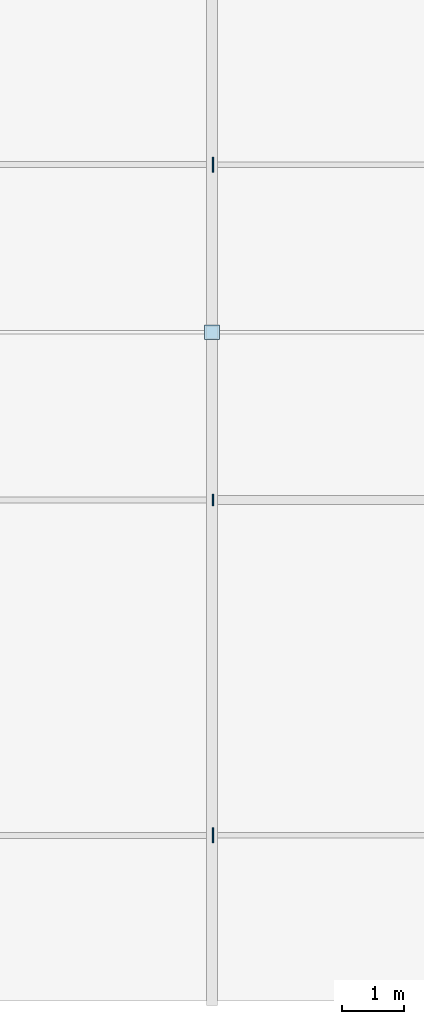
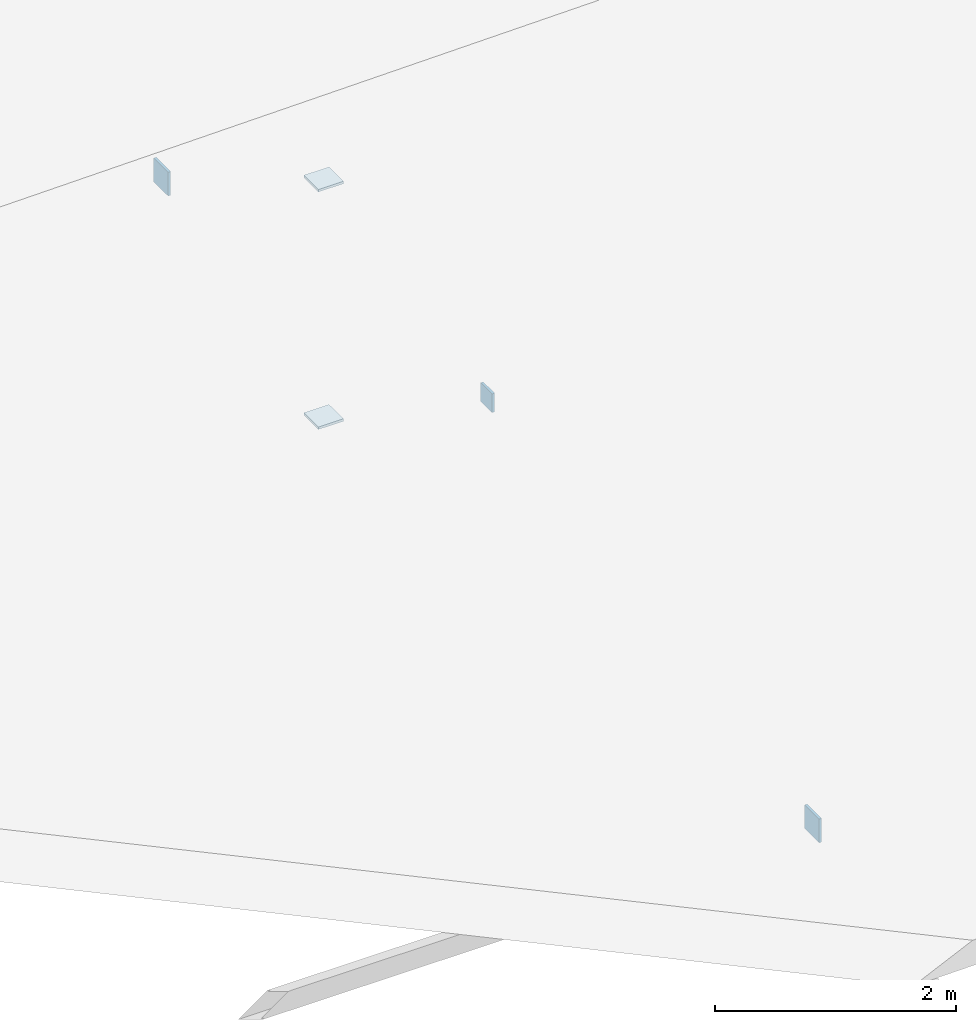
# One storey, part 154 of 226: 5 plates.
"""IFC4 building model written with IfcOpenShell, lengths in metres."""

from ifc_helpers import new_model, si_unit, direction, frame, origin, origin_2d, place, context, subcontext, project, spatial, rectangle, extrude, material, layer, layer_set, type_object, element, save


model = new_model("IFC4")

# Units and contexts
model_context = context("Model", 3, precision=1e-05, world=origin(), true_north=direction((0.0, 1.0)))
body_context = subcontext(model_context, "Body", "Model", "MODEL_VIEW")
ifc_project = project(units=[si_unit("LENGTHUNIT", "METRE"), si_unit("AREAUNIT", "SQUARE_METRE"), si_unit("VOLUMEUNIT", "CUBIC_METRE"), si_unit("PLANEANGLEUNIT", "RADIAN"), si_unit("MASSUNIT", "GRAM", prefix="KILO")], contexts=[model_context])

# Site, building, storey
site_placement = place(None, origin())
site = spatial("IfcSite", under=ifc_project, at=site_placement, CompositionType="ELEMENT")
building_placement = place(site_placement, origin())
building = spatial("IfcBuilding", under=site, at=building_placement, Name="Tarnwether General Hospital", CompositionType="ELEMENT")
storey_placement = place(building_placement, frame((0.0, 0.0, 4.800048828125)))
storey = spatial("IfcBuildingStorey", under=building, at=storey_placement, Name="L01", CompositionType="ELEMENT", Elevation=4.800048828125)

# Plates
ifc_material = material(Name="Steel Grade 350 (350 MPa)", Category="steel")
ifc_layer = layer(ifc_material, 0.02490234375)
ifc_layer_set = layer_set([ifc_layer], Name="Steel Grade 350 (350 MPa)")
plate_type = type_object("IfcPlateType", Name="PT-GUS2", PredefinedType="USERDEFINED", material=ifc_layer_set)
for number, where, z_axis, x_axis, name in (
    (1, (24.0, 10.800048828125, -0.405029296875), (0.0, 0.0, 1.0), (1.0, 0.0, 0.0), "Hollow Section Welded End Cap Plate 1397"),
    (2, (24.0, 10.800048828125, 2.0), (0.0, 0.0, 1.0), (1.0, 0.0, 0.0), "Hollow Section Welded End Cap Plate 1398"),
):
    element("IfcPlate", number, at=place(storey_placement, frame(where, z_axis=z_axis, x_axis=x_axis)), inside=storey, type_object=plate_type, Name=name, ObjectType="GUSSET", PredefinedType="USERDEFINED", context=body_context, shape_type="SweptSolid", body=[
        extrude(rectangle(XDim=0.239990234375, YDim=0.239990234375, at=origin_2d()), origin(), (0.0, 0.0, 1.0), 0.02490234375),
    ])
plate_1_placement = place(storey_placement, frame((24.012451171875, 2.699951171875, 0.27978515625), z_axis=(0.0, 0.0, 1.0), x_axis=(1.0, 0.0, 0.0)))
element("IfcPlate", 3, at=plate_1_placement, inside=storey, type_object=plate_type, Name="Hollow Section Welded End Cap Plate 1404", ObjectType="GUSSET", PredefinedType="USERDEFINED", context=body_context, shape_type="SweptSolid", body=[
    extrude(rectangle(XDim=0.02490234375, YDim=0.239990234375, at=origin_2d()), origin(), (0.0, 0.0, 1.0), 0.239990234375),
])
plate_2_placement = place(storey_placement, frame((24.012451171875, 8.10009765625, 1.344970703125), z_axis=(0.0, 0.0, 1.0), x_axis=(1.0, 0.0, 0.0)))
element("IfcPlate", 4, at=plate_2_placement, inside=storey, type_object=plate_type, Name="Hollow Section Welded End Cap Plate 1406", ObjectType="GUSSET", PredefinedType="USERDEFINED", context=body_context, shape_type="SweptSolid", body=[
    extrude(rectangle(XDim=0.02490234375, YDim=0.18994140625, at=origin_2d()), origin(), (0.0, 0.0, 1.0), 0.18994140625),
])
plate_3_placement = place(storey_placement, frame((24.012451171875, 13.5, 0.27978515625), z_axis=(0.0, 0.0, 1.0), x_axis=(1.0, 0.0, 0.0)))
element("IfcPlate", 5, at=plate_3_placement, inside=storey, type_object=plate_type, Name="Hollow Section Welded End Cap Plate 1418", ObjectType="GUSSET", PredefinedType="USERDEFINED", context=body_context, shape_type="SweptSolid", body=[
    extrude(rectangle(XDim=0.02490234375, YDim=0.239990234375, at=origin_2d()), origin(), (0.0, 0.0, 1.0), 0.239990234375),
])

save(model, "model.ifc")
